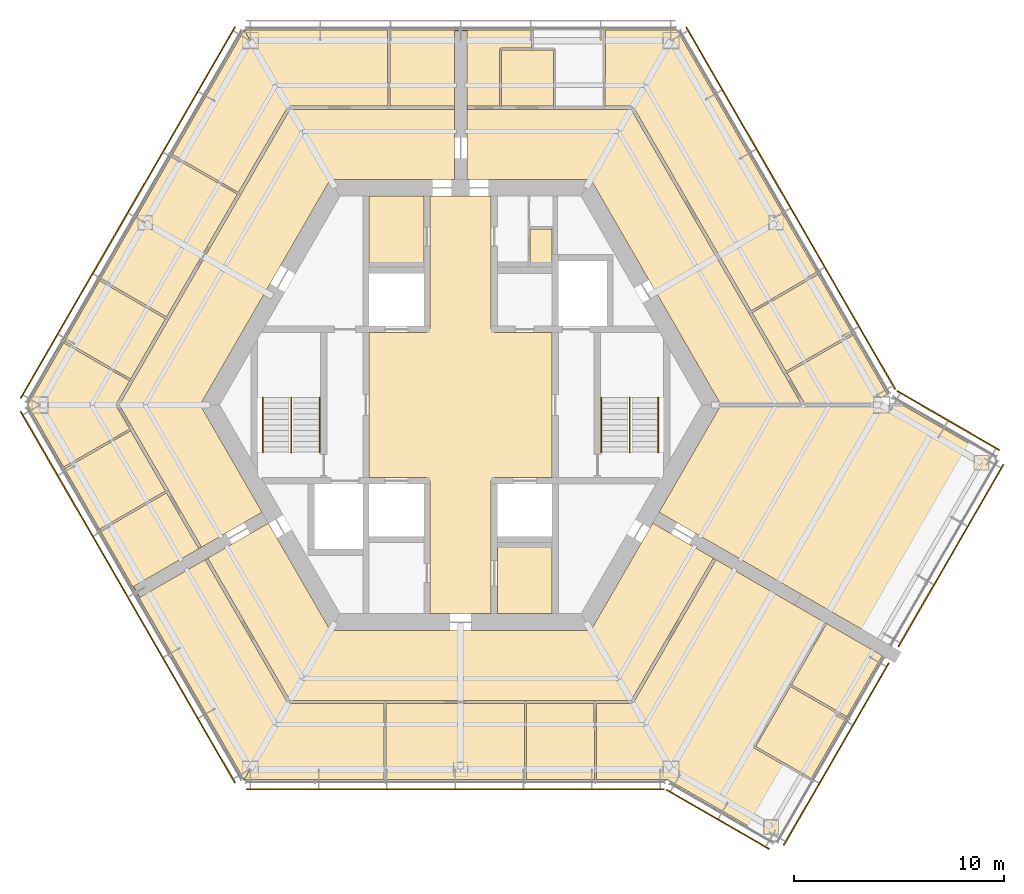
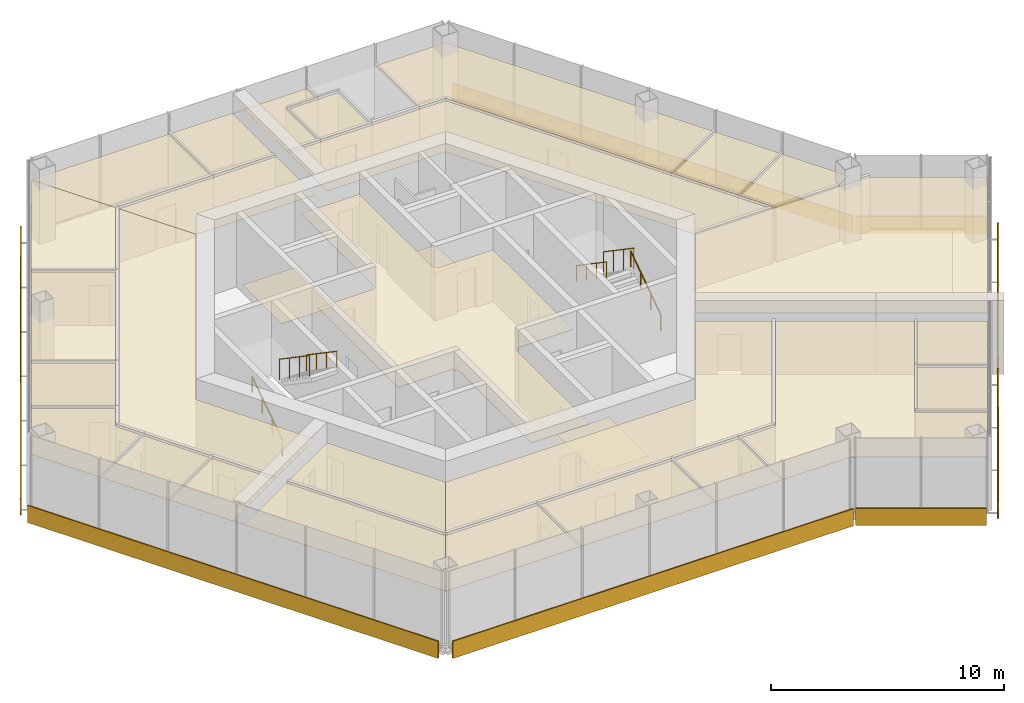
# One storey, part 12 of 13: 30 coverings, 8 shading devices, 6 railings.
"""IFC4 building model written with IfcOpenShell, lengths in metres."""

import ifcopenshell
import ifcopenshell.guid

model = None  # the IFC model being written
_history = None  # IfcOwnerHistory: only IFC2X3 demands one
_inside = {}  # id of a spatial element -> (the spatial element, [elements in it])
_under = {}  # id of a project, library or spatial element -> (it, [spatial elements below it])
_declared = {}  # id of a project -> (the project, [libraries it declares])
_typed = {}  # id of a type object -> (the type object, [elements of that type])
_made_of = {}  # id of a material, layer set ... -> (it, [elements and type objects made of it])


def new_model(schema):
    """Start an empty IFC model of exactly this schema.

    Asked for "IFC4X3", IfcOpenShell would pick the latest addendum, in which some entities
    have other attributes; the version numbers below select the first issue.
    IFC2X3 requires an IfcOwnerHistory on every rooted entity: one is made here for all.
    """
    global model, _history
    if schema == "IFC4X3":
        model = ifcopenshell.file(schema_version=(4, 3, 0, 0))
    else:
        model = ifcopenshell.file(schema=schema)
    _inside.clear()
    _under.clear()
    _declared.clear()
    _typed.clear()
    _made_of.clear()
    _history = None
    if model.schema == "IFC2X3":
        org = make("IfcOrganization", Name="unknown")
        user = make(
            "IfcPersonAndOrganization",
            ThePerson=make("IfcPerson", FamilyName="unknown"),
            TheOrganization=org,
        )
        app = make(
            "IfcApplication",
            ApplicationDeveloper=org,
            Version="unknown",
            ApplicationFullName="unknown",
            ApplicationIdentifier="unknown",
        )
        _history = make(
            "IfcOwnerHistory",
            OwningUser=user,
            OwningApplication=app,
            ChangeAction="ADDED",
            CreationDate=0,
        )
    return model


def make(cls, **values):
    """One entity of the class cls with the attributes given. An attribute that is None is left unset."""
    return model.create_entity(
        cls, **{name: value for name, value in values.items() if value is not None}
    )


def rooted(cls, **values):
    """An entity with a GlobalId (a new one), such as an element, a storey or a relation."""
    return make(cls, GlobalId=ifcopenshell.guid.new(), OwnerHistory=_history, **values)


def si_unit(unit_type, name, prefix=None):
    """IfcSIUnit, for example si_unit("LENGTHUNIT", "METRE", prefix="MILLI")."""
    return make("IfcSIUnit", UnitType=unit_type, Prefix=prefix, Name=name)


def assignment(units):
    """IfcUnitAssignment: the units of a project."""
    return None if units is None else make("IfcUnitAssignment", Units=units)


def point(xyz):
    """IfcCartesianPoint."""
    return None if xyz is None else make("IfcCartesianPoint", Coordinates=xyz)


def direction(xyz):
    """IfcDirection."""
    return None if xyz is None else make("IfcDirection", DirectionRatios=xyz)


def frame(location, z_axis=None, x_axis=None):
    """IfcAxis2Placement3D, a coordinate frame: its origin and axes. An axis left out is left unset."""
    return make(
        "IfcAxis2Placement3D",
        Location=point(location),
        Axis=direction(z_axis),
        RefDirection=direction(x_axis),
    )


def frame_2d(location, x_axis=None):
    """IfcAxis2Placement2D, a coordinate frame in the plane: its origin and x axis."""
    return make(
        "IfcAxis2Placement2D", Location=point(location), RefDirection=direction(x_axis)
    )


def origin():
    """The frame at (0, 0, 0) with its axes left unset."""
    return frame((0.0, 0.0, 0.0))


def origin_2d():
    """The frame at (0, 0) in the plane with its x axis left unset."""
    return frame_2d((0.0, 0.0))


def place(relative_to, where):
    """IfcLocalPlacement: puts the frame where relative to a parent placement (None: the world)."""
    return make(
        "IfcLocalPlacement", PlacementRelTo=relative_to, RelativePlacement=where
    )


def context(
    kind, dimensions, precision=None, world=None, true_north=None, identifier=None
):
    """IfcGeometricRepresentationContext, for example the 3D "Model" context."""
    return make(
        "IfcGeometricRepresentationContext",
        ContextIdentifier=identifier,
        ContextType=kind,
        CoordinateSpaceDimension=dimensions,
        Precision=precision,
        WorldCoordinateSystem=world,
        TrueNorth=true_north,
    )


def subcontext(parent, identifier, kind, view, scale=None):
    """IfcGeometricRepresentationSubContext, for example "Body" below "Model"."""
    return make(
        "IfcGeometricRepresentationSubContext",
        ContextIdentifier=identifier,
        ContextType=kind,
        ParentContext=parent,
        TargetScale=scale,
        TargetView=view,
    )


def project(units=None, contexts=None):
    """IfcProject with its units and contexts."""
    return rooted(
        "IfcProject",
        Name="project",
        RepresentationContexts=contexts,
        UnitsInContext=assignment(units),
    )


def spatial(cls, under=None, at=None, **own):
    """A site, building, storey or space (cls), placed at a placement, below another one or the project."""
    s = rooted(cls, ObjectPlacement=at, **own)
    if under is not None:
        _under.setdefault(under.id(), (under, []))[1].append(s)
    return s


def polyline(points):
    """IfcPolyline through the points."""
    return make("IfcPolyline", Points=[point(p) for p in points])


def profile(cls, at=None, kind="AREA", **sizes):
    """A parametric profile (cls). Its sizes go by their IFC names, for example OverallWidth=200.0."""
    return make(cls, ProfileType=kind, Position=at, **sizes)


def rectangle(**sizes):
    """IfcRectangleProfileDef."""
    return profile("IfcRectangleProfileDef", **sizes)


def circle(**sizes):
    """IfcCircleProfileDef."""
    return profile("IfcCircleProfileDef", **sizes)


def outline(outer, holes=None, kind="AREA"):
    """IfcArbitraryClosedProfileDef: a profile drawn as a closed curve; with holes, ...WithVoids."""
    if holes is None:
        return make("IfcArbitraryClosedProfileDef", ProfileType=kind, OuterCurve=outer)
    return make(
        "IfcArbitraryProfileDefWithVoids",
        ProfileType=kind,
        OuterCurve=outer,
        InnerCurves=holes,
    )


def extrude(swept, where, along, depth):
    """IfcExtrudedAreaSolid: the profile swept, set in the frame where, extruded along a direction by depth."""
    return make(
        "IfcExtrudedAreaSolid",
        SweptArea=swept,
        Position=where,
        ExtrudedDirection=direction(along),
        Depth=depth,
    )


def shape(context_of_items, identifier, shape_type, items):
    """IfcShapeRepresentation: the items that make up one representation, for example the "Body"."""
    return make(
        "IfcShapeRepresentation",
        ContextOfItems=context_of_items,
        RepresentationIdentifier=identifier,
        RepresentationType=shape_type,
        Items=items,
    )


def material(Name=None, Category=None):
    """IfcMaterial."""
    return make("IfcMaterial", Name=Name, Category=Category)


def layer(
    of_material, thickness, ventilated=None, Name=None, Category=None, Priority=None
):
    """IfcMaterialLayer: one layer of a wall or slab, of a material (None: an air gap)."""
    return make(
        "IfcMaterialLayer",
        Material=of_material,
        LayerThickness=thickness,
        IsVentilated=ventilated,
        Name=Name,
        Category=Category,
        Priority=Priority,
    )


def layer_set(layers, Name=None):
    """IfcMaterialLayerSet."""
    return make("IfcMaterialLayerSet", MaterialLayers=layers, LayerSetName=Name)


def made_of(thing, what):
    """Note that an element or type object is made of a material, layer set ...; save() writes the relation."""
    if what is not None:
        _made_of.setdefault(what.id(), (what, []))[1].append(thing)
    return thing


def type_object(cls, material=None, **own):
    """A type object (cls), such as IfcWallType, which elements share."""
    return made_of(rooted(cls, **own), material)


def element(
    cls,
    number,
    at=None,
    inside=None,
    cuts=None,
    type_object=None,
    material=None,
    context=None,
    identifier="Body",
    shape_type=None,
    held_by="IfcProductDefinitionShape",
    body=None,
    shapes=None,
    **own,
):
    """One element of the class cls, such as IfcWall. Its Tag is "e" and its number.

    at: its placement. inside: the storey or other place that contains it. cuts: it is an
    opening in that element (IfcRelVoidsElement). A single representation is given by context,
    identifier, shape_type and body (its items); several are given by shapes. held_by: the class
    of the entity that holds the representations. save() writes the other relations.
    """
    e = rooted(cls, Tag="e%d" % number, ObjectPlacement=at, **own)
    if body is not None:
        shapes = [shape(context, identifier, shape_type, body)]
    if shapes is not None:
        e.Representation = make(held_by, Representations=shapes)
    if inside is not None:
        _inside.setdefault(inside.id(), (inside, []))[1].append(e)
    if cuts is not None:
        rooted(
            "IfcRelVoidsElement", RelatingBuildingElement=cuts, RelatedOpeningElement=e
        )
    if type_object is not None:
        _typed.setdefault(type_object.id(), (type_object, []))[1].append(e)
    return made_of(e, material)


def aggregate(whole, parts):
    """IfcRelAggregates: a whole, such as a stair, and the parts it consists of."""
    return rooted("IfcRelAggregates", RelatingObject=whole, RelatedObjects=parts)


def save(model, path):
    """Write the relations noted so far, then the file.

    IfcRelAggregates (storeys below a building ...), IfcRelContainedInSpatialStructure (elements
    in a storey), IfcRelDefinesByType, IfcRelAssociatesMaterial and IfcRelDeclares: one each for
    every whole, place, type object, material and project.
    """
    for whole, parts in _under.values():
        aggregate(whole, parts)
    for where, things in _inside.values():
        rooted(
            "IfcRelContainedInSpatialStructure",
            RelatedElements=things,
            RelatingStructure=where,
        )
    for kind, things in _typed.values():
        rooted("IfcRelDefinesByType", RelatedObjects=things, RelatingType=kind)
    for what, things in _made_of.values():
        rooted("IfcRelAssociatesMaterial", RelatedObjects=things, RelatingMaterial=what)
    for by, libraries in _declared.values():
        rooted("IfcRelDeclares", RelatingContext=by, RelatedDefinitions=libraries)
    model.write(path)


model = new_model("IFC4")

# Units and contexts
model_context = context("Model", 3, precision=1e-05, world=origin(), true_north=direction((0.0, 1.0)))
body_context = subcontext(model_context, "Body", "Model", "MODEL_VIEW")
ifc_project = project(units=[si_unit("LENGTHUNIT", "METRE"), si_unit("AREAUNIT", "SQUARE_METRE"), si_unit("VOLUMEUNIT", "CUBIC_METRE"), si_unit("PLANEANGLEUNIT", "RADIAN"), si_unit("MASSUNIT", "GRAM", prefix="KILO")], contexts=[model_context])

# Site, building, storey
site_placement = place(None, origin())
site = spatial("IfcSite", under=ifc_project, at=site_placement, CompositionType="ELEMENT")
building_placement = place(site_placement, origin())
building = spatial("IfcBuilding", under=site, at=building_placement, Name="Kasaneha Research Tower", CompositionType="ELEMENT")
storey_placement = place(building_placement, frame((0.0, 0.0, 283.0)))
storey = spatial("IfcBuildingStorey", under=building, at=storey_placement, Name="L71", CompositionType="ELEMENT", Elevation=283.0)

# Covering
ifc_material_1 = material(Name="Aluminium panel ceiling", Category="aluminium")
ifc_layer_1 = layer(ifc_material_1, 0.0400390625)
ifc_layer_set_1 = layer_set([ifc_layer_1], Name="Lift lobby ceiling 40")
covering_type_1 = type_object("IfcCoveringType", Name="Lift lobby ceiling 40", PredefinedType="CEILING", material=ifc_layer_set_1)
covering_1_placement = place(storey_placement, frame((0.0, 0.0, 2.699951171875)))
element("IfcCovering", 1, at=covering_1_placement, inside=storey, type_object=covering_type_1, Name="Ceiling L71-01", PredefinedType="CEILING", context=body_context, shape_type="SweptSolid", body=[
    extrude(outline(polyline([(1.449951171875, 9.925048828125), (1.449951171875, 3.60009765625), (1.60009765625, 3.60009765625), (1.60009765625, 3.449951171875), (4.35009765625, 3.449951171875), (4.35009765625, -3.449951171875), (1.60009765625, -3.449951171875), (1.60009765625, -3.60009765625), (1.449951171875, -3.60009765625), (1.449951171875, -9.925048828125), (-1.449951171875, -9.925048828125), (-1.449951171875, -3.60009765625), (-1.60009765625, -3.60009765625), (-1.60009765625, -3.449951171875), (-4.35009765625, -3.449951171875), (-4.35009765625, 3.449951171875), (-1.60009765625, 3.449951171875), (-1.60009765625, 3.60009765625), (-1.449951171875, 3.60009765625), (-1.449951171875, 9.925048828125), (1.449951171875, 9.925048828125)])), origin(), (0.0, 0.0, 1.0), 0.0400390625),
])

# Railings
ifc_material_2 = material(Name="Steel", Category="steel")
railing_type_1 = type_object("IfcRailingType", Name="Stair balustrade 1100", PredefinedType="GUARDRAIL", material=ifc_material_2)
for number, where, name in (
    (2, (8.050048828125, 0.35009765625, 2.127197265625), "Stair 1 balustrade L71"),
    (3, (-8.050048828125, 0.35009765625, 2.127197265625), "Stair 2 balustrade L71"),
):
    element("IfcRailing", number, at=place(storey_placement, frame(where)), inside=storey, type_object=railing_type_1, Name=name, PredefinedType="GUARDRAIL", context=body_context, shape_type="SweptSolid", body=[
        extrude(circle(Radius=0.02392578125, at=origin_2d()), frame((0.0, 0.0, 1.076171875), z_axis=(0.0, -0.826240473404, 0.563317565952), x_axis=(1.0, 0.0, 0.0)), (0.0, 0.0, 1.0), 3.14697265625),
        extrude(circle(Radius=0.02099609375, at=origin_2d()), origin(), (0.0, 0.0, 1.0), 1.052001953125),
        extrude(circle(Radius=0.02099609375, at=origin_2d()), frame((0.0, -0.86669921875, 0.5908203125)), (0.0, 0.0, 1.0), 1.052001953125),
        extrude(circle(Radius=0.02099609375, at=origin_2d()), frame((0.0, -1.7333984375, 1.181884765625)), (0.0, 0.0, 1.0), 1.052001953125),
        extrude(circle(Radius=0.02099609375, at=origin_2d()), frame((0.0, -2.60009765625, 1.772705078125)), (0.0, 0.0, 1.0), 1.052001953125),
    ])
ifc_material_3 = material(Name="Steel", Category="steel")
railing_type_2 = type_object("IfcRailingType", Name="Stair handrail 850", PredefinedType="HANDRAIL", material=ifc_material_3)
railing_1_placement = place(storey_placement, frame((9.39990234375, -2.25, 0.17724609375)))
element("IfcRailing", 4, at=railing_1_placement, inside=storey, type_object=railing_type_2, Name="Stair 1 handrail L71", PredefinedType="HANDRAIL", context=body_context, shape_type="SweptSolid", body=[
    extrude(circle(Radius=0.02392578125, at=origin_2d()), frame((0.0, 0.0, 0.826171875), z_axis=(0.0, 0.826240473404, 0.563317565952), x_axis=(-1.0, 0.0, 0.0)), (0.0, 0.0, 1.0), 3.14697265625),
    extrude(circle(Radius=0.02099609375, at=origin_2d()), origin(), (0.0, 0.0, 1.0), 0.802001953125),
    extrude(circle(Radius=0.02099609375, at=origin_2d()), frame((0.0, 0.86669921875, 0.5908203125)), (0.0, 0.0, 1.0), 0.802001953125),
    extrude(circle(Radius=0.02099609375, at=origin_2d()), frame((0.0, 1.7333984375, 1.181884765625)), (0.0, 0.0, 1.0), 0.802001953125),
    extrude(circle(Radius=0.02099609375, at=origin_2d()), frame((0.0, 2.60009765625, 1.772705078125)), (0.0, 0.0, 1.0), 0.802001953125),
])
railing_2_placement = place(storey_placement, frame((6.699951171875, 0.35009765625, 2.127197265625)))
element("IfcRailing", 5, at=railing_2_placement, inside=storey, type_object=railing_type_2, Name="Stair 1 handrail L71", PredefinedType="HANDRAIL", context=body_context, shape_type="SweptSolid", body=[
    extrude(circle(Radius=0.02392578125, at=origin_2d()), frame((0.0, 0.0, 0.826171875), z_axis=(0.0, -0.826240473404, 0.563317565952), x_axis=(1.0, 0.0, 0.0)), (0.0, 0.0, 1.0), 3.14697265625),
    extrude(circle(Radius=0.02099609375, at=origin_2d()), origin(), (0.0, 0.0, 1.0), 0.802001953125),
    extrude(circle(Radius=0.02099609375, at=origin_2d()), frame((0.0, -0.86669921875, 0.5908203125)), (0.0, 0.0, 1.0), 0.802001953125),
    extrude(circle(Radius=0.02099609375, at=origin_2d()), frame((0.0, -1.7333984375, 1.181884765625)), (0.0, 0.0, 1.0), 0.802001953125),
    extrude(circle(Radius=0.02099609375, at=origin_2d()), frame((0.0, -2.60009765625, 1.772705078125)), (0.0, 0.0, 1.0), 0.802001953125),
])
railing_3_placement = place(storey_placement, frame((-9.39990234375, -2.25, 0.17724609375)))
element("IfcRailing", 6, at=railing_3_placement, inside=storey, type_object=railing_type_2, Name="Stair 2 handrail L71", PredefinedType="HANDRAIL", context=body_context, shape_type="SweptSolid", body=[
    extrude(circle(Radius=0.02392578125, at=origin_2d()), frame((0.0, 0.0, 0.826171875), z_axis=(0.0, 0.826240473404, 0.563317565952), x_axis=(-1.0, 0.0, 0.0)), (0.0, 0.0, 1.0), 3.14697265625),
    extrude(circle(Radius=0.02099609375, at=origin_2d()), origin(), (0.0, 0.0, 1.0), 0.802001953125),
    extrude(circle(Radius=0.02099609375, at=origin_2d()), frame((0.0, 0.86669921875, 0.5908203125)), (0.0, 0.0, 1.0), 0.802001953125),
    extrude(circle(Radius=0.02099609375, at=origin_2d()), frame((0.0, 1.7333984375, 1.181884765625)), (0.0, 0.0, 1.0), 0.802001953125),
    extrude(circle(Radius=0.02099609375, at=origin_2d()), frame((0.0, 2.60009765625, 1.772705078125)), (0.0, 0.0, 1.0), 0.802001953125),
])
railing_4_placement = place(storey_placement, frame((-6.699951171875, 0.35009765625, 2.127197265625)))
element("IfcRailing", 7, at=railing_4_placement, inside=storey, type_object=railing_type_2, Name="Stair 2 handrail L71", PredefinedType="HANDRAIL", context=body_context, shape_type="SweptSolid", body=[
    extrude(circle(Radius=0.02392578125, at=origin_2d()), frame((0.0, 0.0, 0.826171875), z_axis=(0.0, -0.826240473404, 0.563317565952), x_axis=(1.0, 0.0, 0.0)), (0.0, 0.0, 1.0), 3.14697265625),
    extrude(circle(Radius=0.02099609375, at=origin_2d()), origin(), (0.0, 0.0, 1.0), 0.802001953125),
    extrude(circle(Radius=0.02099609375, at=origin_2d()), frame((0.0, -0.86669921875, 0.5908203125)), (0.0, 0.0, 1.0), 0.802001953125),
    extrude(circle(Radius=0.02099609375, at=origin_2d()), frame((0.0, -1.7333984375, 1.181884765625)), (0.0, 0.0, 1.0), 0.802001953125),
    extrude(circle(Radius=0.02099609375, at=origin_2d()), frame((0.0, -2.60009765625, 1.772705078125)), (0.0, 0.0, 1.0), 0.802001953125),
])

# Coverings
ifc_material_4 = material(Name="Gypsum ceiling board", Category="gypsum")
ifc_layer_2 = layer(ifc_material_4, 0.02001953125)
ifc_layer_set_2 = layer_set([ifc_layer_2], Name="Suspended ceiling 20")
covering_type_2 = type_object("IfcCoveringType", Name="Suspended ceiling 20", PredefinedType="CEILING", material=ifc_layer_set_2)
covering_2_placement = place(storey_placement, frame((0.0, 0.0, 2.800048828125)))
element("IfcCovering", 8, at=covering_2_placement, inside=storey, type_object=covering_type_2, Name="Ceiling L71-24", PredefinedType="CEILING", context=body_context, shape_type="SweptSolid", body=[
    extrude(outline(polyline([(6.192138671875, 10.72509765625), (0.300048828125, 10.72509765625), (0.300048828125, 11.72509765625), (0.300048828125, 12.72509765625), (0.300048828125, 14.125), (0.320068359375, 14.125), (0.320068359375, 14.050048828125), (1.89501953125, 14.050048828125), (1.905029296875, 14.050048828125), (4.4599609375, 14.050048828125), (4.469970703125, 14.050048828125), (6.826416015625, 14.050048828125), (6.8359375, 14.050048828125), (8.11181640625, 14.050048828125), (13.70849609375, 4.356201171875), (13.70849609375, 4.356201171875), (15.374267578125, 1.470947265625), (15.374267578125, 1.470947265625), (16.2236328125, 0.0), (12.38427734375, 0.0), (6.192138671875, 10.72509765625)])), origin(), (0.0, 0.0, 1.0), 0.02001953125),
])
covering_3_placement = place(storey_placement, frame((0.0, 0.0, 2.800048828125)))
element("IfcCovering", 9, at=covering_3_placement, inside=storey, type_object=covering_type_2, Name="Ceiling L71-25", PredefinedType="CEILING", context=body_context, shape_type="SweptSolid", body=[
    extrude(outline(polyline([(4.41015625, 14.199951171875), (1.954833984375, 14.199951171875), (1.9501953125, 16.875), (3.410400390625, 16.875), (3.42041015625, 16.875), (4.414794921875, 16.875), (4.41015625, 14.199951171875)])), origin(), (0.0, 0.0, 1.0), 0.02001953125),
])
covering_4_placement = place(storey_placement, frame((0.0, 0.0, 2.800048828125)))
element("IfcCovering", 10, at=covering_4_placement, inside=storey, type_object=covering_type_2, Name="Ceiling L71-26", PredefinedType="CEILING", context=body_context, shape_type="SweptSolid", body=[
    extrude(outline(polyline([(18.619873046875, 3.3505859375), (18.594970703125, 3.393798828125), (15.474365234375, 1.597900390625), (13.863525390625, 4.387939453125), (16.988037109375, 6.197021484375), (16.963134765625, 6.240234375), (16.9716796875, 6.2451171875), (18.63720703125, 3.360595703125), (18.619873046875, 3.3505859375)])), origin(), (0.0, 0.0, 1.0), 0.02001953125),
])
covering_5_placement = place(storey_placement, frame((0.0, 0.0, 2.800048828125)))
element("IfcCovering", 11, at=covering_5_placement, inside=storey, type_object=covering_type_2, Name="Ceiling L71-28", PredefinedType="CEILING", context=body_context, shape_type="SweptSolid", body=[
    extrude(outline(polyline([(3.41552734375, 17.820556640625), (3.41552734375, 17.800537109375), (3.365478515625, 17.80029296875), (3.3701171875, 16.97509765625), (1.89990234375, 16.97509765625), (1.89990234375, 16.925048828125), (1.85009765625, 16.9248046875), (1.85498046875, 14.199951171875), (0.320068359375, 14.199951171875), (0.320068359375, 14.125), (0.300048828125, 14.125), (0.300048828125, 17.7705078125), (0.300048828125, 17.7705078125), (0.0, 17.7705078125), (0.0, 17.820556640625), (3.41552734375, 17.820556640625)])), origin(), (0.0, 0.0, 1.0), 0.02001953125),
])
covering_6_placement = place(storey_placement, frame((0.0, 0.0, 2.800048828125)))
element("IfcCovering", 12, at=covering_6_placement, inside=storey, type_object=covering_type_2, Name="Ceiling L71-29", PredefinedType="CEILING", context=body_context, shape_type="SweptSolid", body=[
    extrude(outline(polyline([(20.28759765625, 0.501708984375), (19.41845703125, 0.0), (16.31005859375, 0.0), (16.298583984375, 0.02001953125), (16.363525390625, 0.0576171875), (15.5244140625, 1.51123046875), (18.644775390625, 3.30712890625), (18.619873046875, 3.3505859375), (18.63720703125, 3.360595703125), (20.28759765625, 0.501708984375)])), origin(), (0.0, 0.0, 1.0), 0.02001953125),
])
covering_7_placement = place(storey_placement, frame((0.0, 0.0, 2.800048828125)))
element("IfcCovering", 13, at=covering_7_placement, inside=storey, type_object=covering_type_2, Name="Ceiling L71-30", PredefinedType="CEILING", context=body_context, shape_type="SweptSolid", body=[
    extrude(outline(polyline([(16.962890625, 6.24072265625), (16.93798828125, 6.283447265625), (13.8134765625, 4.474365234375), (8.219970703125, 14.16259765625), (8.155517578125, 14.125244140625), (8.155517578125, 14.125244140625), (8.155029296875, 14.125244140625), (8.155029296875, 14.199951171875), (6.876708984375, 14.199951171875), (6.880859375, 17.800537109375), (6.83154296875, 17.800537109375), (6.83154296875, 17.820556640625), (10.28857421875, 17.820556640625), (16.971435546875, 6.24560546875), (16.962890625, 6.24072265625)])), origin(), (0.0, 0.0, 1.0), 0.02001953125),
])
covering_8_placement = place(storey_placement, frame((0.0, 0.0, 2.800048828125)))
element("IfcCovering", 14, at=covering_8_placement, inside=storey, type_object=covering_type_2, Name="Ceiling L71-31", PredefinedType="CEILING", context=body_context, shape_type="SweptSolid", body=[
    extrude(outline(polyline([(-0.300048828125, 11.72509765625), (-0.300048828125, 10.72509765625), (-6.192138671875, 10.72509765625), (-8.11181640625, 14.050048828125), (-8.11181640625, 14.050048828125), (-3.42041015625, 14.050048828125), (-3.410888671875, 14.050048828125), (-0.320068359375, 14.050048828125), (-0.320068359375, 14.125), (-0.300048828125, 14.125), (-0.300048828125, 12.72509765625), (-0.300048828125, 11.72509765625)])), origin(), (0.0, 0.0, 1.0), 0.02001953125),
])
covering_9_placement = place(storey_placement, frame((0.0, 0.0, 2.800048828125)))
element("IfcCovering", 15, at=covering_9_placement, inside=storey, type_object=covering_type_2, Name="Ceiling L71-32", PredefinedType="CEILING", context=body_context, shape_type="SweptSolid", body=[
    extrude(outline(polyline([(0.0, 17.7705078125), (-0.300048828125, 17.7705078125), (-0.300048828125, 17.7705078125), (-0.300048828125, 14.125), (-0.320068359375, 14.125), (-0.320068359375, 14.199951171875), (-3.361083984375, 14.199951171875), (-3.365478515625, 17.800537109375), (-3.41552734375, 17.800537109375), (-3.41552734375, 17.820556640625), (0.0, 17.820556640625), (0.0, 17.7705078125)])), origin(), (0.0, 0.0, 1.0), 0.02001953125),
])
covering_10_placement = place(storey_placement, frame((0.0, 0.0, 2.800048828125)))
element("IfcCovering", 16, at=covering_10_placement, inside=storey, type_object=covering_type_2, Name="Ceiling L71-33", PredefinedType="CEILING", context=body_context, shape_type="SweptSolid", body=[
    extrude(outline(polyline([(-3.416015625, 17.800537109375), (-3.465576171875, 17.800537109375), (-3.461181640625, 14.199951171875), (-8.132080078125, 14.199951171875), (-8.132080078125, 14.12548828125), (-8.1552734375, 14.12548828125), (-10.28857421875, 17.820556640625), (-3.416015625, 17.820556640625), (-3.416015625, 17.800537109375)])), origin(), (0.0, 0.0, 1.0), 0.02001953125),
])
covering_11_placement = place(storey_placement, frame((0.0, 0.0, 2.800048828125)))
element("IfcCovering", 17, at=covering_11_placement, inside=storey, type_object=covering_type_2, Name="Ceiling L71-34", PredefinedType="CEILING", context=body_context, shape_type="SweptSolid", body=[
    extrude(outline(polyline([(-12.38427734375, 0.0), (-9.438232421875, -5.102783203125), (-10.30419921875, -5.602783203125), (-10.30419921875, -5.602783203125), (-11.170166015625, -6.102783203125), (-11.170166015625, -6.102783203125), (-12.382568359375, -6.802734375), (-12.392578125, -6.785400390625), (-12.32763671875, -6.747802734375), (-13.872802734375, -4.0712890625), (-13.872802734375, -4.0712890625), (-15.580810546875, -1.113037109375), (-15.580810546875, -1.113037109375), (-16.223388671875, 0.0), (-15.580810546875, 1.113037109375), (-15.580810546875, 1.113037109375), (-13.872802734375, 4.0712890625), (-13.872802734375, 4.071533203125), (-10.457763671875, 9.98681640625), (-10.457763671875, 9.98681640625), (-8.11181640625, 14.050048828125), (-6.192138671875, 10.72509765625), (-12.38427734375, 0.0)])), origin(), (0.0, 0.0, 1.0), 0.02001953125),
])
covering_12_placement = place(storey_placement, frame((0.0, 0.0, 2.800048828125)))
element("IfcCovering", 18, at=covering_12_placement, inside=storey, type_object=covering_type_2, Name="Ceiling L71-35", PredefinedType="CEILING", context=body_context, shape_type="SweptSolid", body=[
    extrude(outline(polyline([(-8.15478515625, 14.12548828125), (-8.166748046875, 14.10498046875), (-8.2314453125, 14.142578125), (-10.562744140625, 10.10498046875), (-13.691650390625, 11.906494140625), (-13.716552734375, 11.86328125), (-13.725341796875, 11.8681640625), (-10.28857421875, 17.821044921875), (-8.15478515625, 14.12548828125)])), origin(), (0.0, 0.0, 1.0), 0.02001953125),
])
covering_13_placement = place(storey_placement, frame((0.0, 0.0, 2.800048828125)))
element("IfcCovering", 19, at=covering_13_placement, inside=storey, type_object=covering_type_2, Name="Ceiling L71-36", PredefinedType="CEILING", context=body_context, shape_type="SweptSolid", body=[
    extrude(outline(polyline([(-18.83984375, -2.989501953125), (-18.81494140625, -3.03271484375), (-15.685791015625, -1.2314453125), (-14.03271484375, -4.094482421875), (-17.1484375, -5.899169921875), (-17.12353515625, -5.9423828125), (-17.140869140625, -5.952392578125), (-18.848388671875, -2.994384765625), (-18.83984375, -2.989501953125)])), origin(), (0.0, 0.0, 1.0), 0.02001953125),
])
covering_14_placement = place(storey_placement, frame((0.0, 0.0, 2.800048828125)))
element("IfcCovering", 20, at=covering_14_placement, inside=storey, type_object=covering_type_2, Name="Ceiling L71-37", PredefinedType="CEILING", context=body_context, shape_type="SweptSolid", body=[
    extrude(outline(polyline([(-15.539794921875, -8.62548828125), (-15.539794921875, -8.62548828125), (-15.3896484375, -8.88525390625), (-15.43310546875, -8.91015625), (-17.140869140625, -5.952392578125), (-17.12353515625, -5.9423828125), (-17.098388671875, -5.985595703125), (-13.982666015625, -4.18115234375), (-12.45751953125, -6.822998046875), (-12.392578125, -6.785400390625), (-12.382568359375, -6.802734375), (-12.122802734375, -6.652587890625), (-15.539794921875, -8.62548828125), (-15.539794921875, -8.62548828125)])), origin(), (0.0, 0.0, 1.0), 0.02001953125),
])
covering_15_placement = place(storey_placement, frame((0.0, 0.0, 2.800048828125)))
element("IfcCovering", 21, at=covering_15_placement, inside=storey, type_object=covering_type_2, Name="Ceiling L71-38", PredefinedType="CEILING", context=body_context, shape_type="SweptSolid", body=[
    extrude(outline(polyline([(-17.12353515625, 5.9423828125), (-17.1484375, 5.899169921875), (-14.032470703125, 4.094970703125), (-15.685791015625, 1.2314453125), (-18.81494140625, 3.03271484375), (-18.83984375, 2.989501953125), (-18.848388671875, 2.994384765625), (-17.140869140625, 5.952392578125), (-17.12353515625, 5.9423828125)])), origin(), (0.0, 0.0, 1.0), 0.02001953125),
])
covering_16_placement = place(storey_placement, frame((0.0, 0.0, 2.800048828125)))
element("IfcCovering", 22, at=covering_16_placement, inside=storey, type_object=covering_type_2, Name="Ceiling L71-39", PredefinedType="CEILING", context=body_context, shape_type="SweptSolid", body=[
    extrude(outline(polyline([(-17.140380859375, 5.952880859375), (-13.7255859375, 11.86767578125), (-13.716796875, 11.86279296875), (-13.74169921875, 11.81982421875), (-10.612548828125, 10.018310546875), (-13.982421875, 4.181640625), (-17.098388671875, 5.985595703125), (-17.123291015625, 5.94287109375), (-17.140380859375, 5.952880859375)])), origin(), (0.0, 0.0, 1.0), 0.02001953125),
])
covering_17_placement = place(storey_placement, frame((0.0, 0.0, 2.800048828125)))
element("IfcCovering", 23, at=covering_17_placement, inside=storey, type_object=covering_type_2, Name="Ceiling L71-40", PredefinedType="CEILING", context=body_context, shape_type="SweptSolid", body=[
    extrude(outline(polyline([(-18.840087890625, 2.989013671875), (-18.86474609375, 2.9462890625), (-15.73583984375, 1.144775390625), (-16.375, 0.03759765625), (-16.310546875, 0.000244140625), (-16.310546875, 0.0), (-16.310546875, -0.000244140625), (-16.375, -0.03759765625), (-15.73583984375, -1.144775390625), (-18.86474609375, -2.9462890625), (-18.840087890625, -2.989013671875), (-18.8486328125, -2.994140625), (-20.577392578125, 0.0), (-18.8486328125, 2.994140625), (-18.840087890625, 2.989013671875)])), origin(), (0.0, 0.0, 1.0), 0.02001953125),
])
covering_18_placement = place(storey_placement, frame((0.0, 0.0, 2.800048828125)))
element("IfcCovering", 24, at=covering_18_placement, inside=storey, type_object=covering_type_2, Name="Ceiling L71-41", PredefinedType="CEILING", context=body_context, shape_type="SweptSolid", body=[
    extrude(outline(polyline([(-10.8701171875, -6.622314453125), (-10.004150390625, -6.122314453125), (-10.004150390625, -6.122314453125), (-9.13818359375, -5.622314453125), (-6.192138671875, -10.72509765625), (-8.11181640625, -14.050048828125), (-12.007568359375, -7.302001953125), (-12.072509765625, -7.339599609375), (-12.08251953125, -7.322265625), (-10.8701171875, -6.622314453125), (-10.8701171875, -6.622314453125)])), origin(), (0.0, 0.0, 1.0), 0.02001953125),
])
covering_19_placement = place(storey_placement, frame((0.0, 0.0, 2.800048828125)))
element("IfcCovering", 25, at=covering_19_placement, inside=storey, type_object=covering_type_2, Name="Ceiling L71-42", PredefinedType="CEILING", context=body_context, shape_type="SweptSolid", body=[
    extrude(outline(polyline([(-12.072998046875, -7.33984375), (-12.137451171875, -7.377197265625), (-8.2314453125, -14.142578125), (-8.1669921875, -14.105224609375), (-8.1552734375, -14.12548828125), (-10.28857421875, -17.820556640625), (-15.43310546875, -8.91015625), (-15.3896484375, -8.88525390625), (-15.23974609375, -9.14501953125), (-15.23974609375, -9.14501953125), (-15.23974609375, -9.14501953125), (-12.0830078125, -7.322509765625), (-12.072998046875, -7.33984375)])), origin(), (0.0, 0.0, 1.0), 0.02001953125),
])
covering_20_placement = place(storey_placement, frame((0.0, 0.0, 2.800048828125)))
element("IfcCovering", 26, at=covering_20_placement, inside=storey, type_object=covering_type_2, Name="Ceiling L71-43", PredefinedType="CEILING", context=body_context, shape_type="SweptSolid", body=[
    extrude(outline(polyline([(11.170166015625, -6.102783203125), (10.30419921875, -5.602783203125), (10.227783203125, -5.55859375), (9.438232421875, -5.102783203125), (12.38427734375, 0.0), (16.2236328125, 0.0), (16.233642578125, -0.017578125), (16.263916015625, 0.0), (21.0, 0.0), (25.446044921875, -2.56689453125), (20.34619140625, -11.400390625), (12.1259765625, -6.654541015625), (11.170166015625, -6.102783203125)])), origin(), (0.0, 0.0, 1.0), 0.02001953125),
])
covering_21_placement = place(storey_placement, frame((0.0, 0.0, 2.800048828125)))
element("IfcCovering", 27, at=covering_21_placement, inside=storey, type_object=covering_type_2, Name="Ceiling L71-44", PredefinedType="CEILING", context=body_context, shape_type="SweptSolid", body=[
    extrude(outline(polyline([(-6.192138671875, -10.72509765625), (6.192138671875, -10.72509765625), (9.13818359375, -5.622314453125), (10.004150390625, -6.122314453125), (10.004150390625, -6.122314453125), (10.8701171875, -6.622314453125), (10.8701171875, -6.622314453125), (12.08251953125, -7.322265625), (12.072509765625, -7.339599609375), (12.007568359375, -7.302001953125), (8.11181640625, -14.050048828125), (6.413330078125, -14.050048828125), (6.40380859375, -14.050048828125), (3.081787109375, -14.050048828125), (3.072509765625, -14.050048828125), (-3.57958984375, -14.050048828125), (-3.589111328125, -14.050048828125), (-8.11181640625, -14.050048828125), (-8.11181640625, -14.050048828125), (-6.192138671875, -10.72509765625)])), origin(), (0.0, 0.0, 1.0), 0.02001953125),
])
covering_22_placement = place(storey_placement, frame((0.0, 0.0, 2.800048828125)))
element("IfcCovering", 28, at=covering_22_placement, inside=storey, type_object=covering_type_2, Name="Ceiling L71-45", PredefinedType="CEILING", context=body_context, shape_type="SweptSolid", body=[
    extrude(outline(polyline([(3.077392578125, -17.800537109375), (3.12744140625, -17.800537109375), (3.131591796875, -14.199951171875), (6.35400390625, -14.199951171875), (6.3583984375, -17.800537109375), (6.408203125, -17.800537109375), (6.408203125, -17.820556640625), (3.077392578125, -17.820556640625), (3.077392578125, -17.800537109375)])), origin(), (0.0, 0.0, 1.0), 0.02001953125),
])
covering_23_placement = place(storey_placement, frame((0.0, 0.0, 2.800048828125)))
element("IfcCovering", 29, at=covering_23_placement, inside=storey, type_object=covering_type_2, Name="Ceiling L71-46", PredefinedType="CEILING", context=body_context, shape_type="SweptSolid", body=[
    extrude(outline(polyline([(-8.15576171875, -14.125), (-8.132080078125, -14.125), (-8.132080078125, -14.199951171875), (-3.638916015625, -14.199951171875), (-3.634521484375, -17.800537109375), (-3.58447265625, -17.800537109375), (-3.58447265625, -17.820556640625), (-10.2890625, -17.820556640625), (-8.15576171875, -14.125)])), origin(), (0.0, 0.0, 1.0), 0.02001953125),
])
covering_24_placement = place(storey_placement, frame((0.0, 0.0, 2.800048828125)))
element("IfcCovering", 30, at=covering_24_placement, inside=storey, type_object=covering_type_2, Name="Ceiling L71-47", PredefinedType="CEILING", context=body_context, shape_type="SweptSolid", body=[
    extrude(outline(polyline([(16.646240234375, -17.80908203125), (16.62890625, -17.799072265625), (16.65380859375, -17.755615234375), (14.02978515625, -16.24072265625), (15.68115234375, -13.389404296875), (18.303955078125, -14.89794921875), (18.328857421875, -14.8544921875), (18.34619140625, -14.864501953125), (16.646240234375, -17.80908203125)])), origin(), (0.0, 0.0, 1.0), 0.02001953125),
])
covering_25_placement = place(storey_placement, frame((0.0, 0.0, 2.800048828125)))
element("IfcCovering", 31, at=covering_25_placement, inside=storey, type_object=covering_type_2, Name="Ceiling L71-48", PredefinedType="CEILING", context=body_context, shape_type="SweptSolid", body=[
    extrude(outline(polyline([(18.34619140625, -14.864501953125), (18.328857421875, -14.8544921875), (18.353759765625, -14.811279296875), (15.731201171875, -13.302734375), (17.394775390625, -10.412353515625), (17.3515625, -10.387451171875), (17.361572265625, -10.3701171875), (20.046142578125, -11.920166015625), (18.34619140625, -14.864501953125)])), origin(), (0.0, 0.0, 1.0), 0.02001953125),
])
covering_26_placement = place(storey_placement, frame((0.0, 0.0, 2.800048828125)))
element("IfcCovering", 32, at=covering_26_placement, inside=storey, type_object=covering_type_2, Name="Ceiling L71-49", PredefinedType="CEILING", context=body_context, shape_type="SweptSolid", body=[
    extrude(outline(polyline([(13.96142578125, -16.25927734375), (13.9365234375, -16.30224609375), (16.603759765625, -17.84228515625), (16.62841796875, -17.799560546875), (16.64599609375, -17.8095703125), (14.946044921875, -20.75341796875), (9.865966796875, -17.820556640625), (6.40869140625, -17.820556640625), (6.40869140625, -17.800537109375), (6.458251953125, -17.800537109375), (6.453857421875, -14.199951171875), (8.155029296875, -14.199951171875), (8.155029296875, -14.125244140625), (8.155517578125, -14.125244140625), (8.155517578125, -14.125244140625), (8.219970703125, -14.16259765625), (12.137451171875, -7.377197265625), (12.072998046875, -7.33984375), (12.0830078125, -7.322509765625), (17.361083984375, -10.369873046875), (17.35107421875, -10.38720703125), (17.30810546875, -10.362548828125), (15.6220703125, -13.291748046875), (13.918212890625, -16.23388671875), (13.961181640625, -16.2587890625), (13.9609375, -16.259033203125), (13.96142578125, -16.25927734375)])), origin(), (0.0, 0.0, 1.0), 0.02001953125),
])
covering_27_placement = place(storey_placement, frame((0.0, 0.0, 2.800048828125)))
element("IfcCovering", 33, at=covering_27_placement, inside=storey, type_object=covering_type_2, Name="Ceiling L71-50", PredefinedType="CEILING", context=body_context, shape_type="SweptSolid", body=[
    extrude(outline(polyline([(3.076904296875, -17.820556640625), (-3.583984375, -17.820556640625), (-3.583984375, -17.800537109375), (-3.534423828125, -17.800537109375), (-3.538818359375, -14.199951171875), (3.03173828125, -14.199951171875), (3.02734375, -17.800537109375), (3.076904296875, -17.800537109375), (3.076904296875, -17.820556640625)])), origin(), (0.0, 0.0, 1.0), 0.02001953125),
])

# Shading devices
ifc_material_5 = material(Name="Terracotta", Category="masonry")
ifc_layer_3 = layer(ifc_material_5, 0.06005859375)
ifc_layer_set_3 = layer_set([ifc_layer_3], Name="Terracotta baguette screen")
shading_device_type = type_object("IfcShadingDeviceType", Name="Terracotta baguette screen", PredefinedType="USERDEFINED", material=ifc_layer_set_3)
shading_device_1_placement = place(storey_placement, frame((15.696044921875, 9.35498046875, -0.449951171875), z_axis=(0.0, 0.0, 1.0), x_axis=(-0.499999979232, 0.866025415775, 0.0)))
element("IfcShadingDevice", 34, at=shading_device_1_placement, inside=storey, type_object=shading_device_type, Name="Baguette screen L71 01", ObjectType="TERRACOTTA BAGUETTE SCREEN", PredefinedType="USERDEFINED", context=body_context, shape_type="SweptSolid", body=[
    extrude(rectangle(XDim=19.8857421875, YDim=0.06005859375, at=origin_2d()), origin(), (0.0, 0.0, 1.0), 0.89990234375),
])
for number, where, z_axis, x_axis, name in (
    (35, (-15.82275390625, 9.13525390625, -0.449951171875), (0.0, 0.0, 1.0), (-0.499999995722, -0.866025406254, 0.0), "Baguette screen L71 03"),
    (36, (-15.82275390625, -9.13525390625, -0.449951171875), (0.0, 0.0, 1.0), (0.499999995722, -0.866025406254, 0.0), "Baguette screen L71 04"),
):
    element("IfcShadingDevice", number, at=place(storey_placement, frame(where, z_axis=z_axis, x_axis=x_axis)), inside=storey, type_object=shading_device_type, Name=name, ObjectType="TERRACOTTA BAGUETTE SCREEN", PredefinedType="USERDEFINED", context=body_context, shape_type="SweptSolid", body=[
        extrude(rectangle(XDim=20.392822265625, YDim=0.06005859375, at=origin_2d()), origin(), (0.0, 0.0, 1.0), 0.89990234375),
    ])
shading_device_2_placement = place(storey_placement, frame((-0.253662109375, -18.2705078125, -0.449951171875), z_axis=(0.0, 0.0, 1.0), x_axis=(1.0, 0.0, 0.0)))
element("IfcShadingDevice", 37, at=shading_device_2_placement, inside=storey, type_object=shading_device_type, Name="Baguette screen L71 05", ObjectType="TERRACOTTA BAGUETTE SCREEN", PredefinedType="USERDEFINED", context=body_context, shape_type="SweptSolid", body=[
    extrude(rectangle(XDim=19.8857421875, YDim=0.06005859375, at=origin_2d()), origin(), (0.0, 0.0, 1.0), 0.89990234375),
])
shading_device_3_placement = place(storey_placement, frame((12.236083984375, -19.70849609375, -0.449951171875), z_axis=(0.0, 0.0, 1.0), x_axis=(0.866025443395, -0.499999931393, 0.0)))
element("IfcShadingDevice", 38, at=shading_device_3_placement, inside=storey, type_object=shading_device_type, Name="Baguette screen L71 06", ObjectType="TERRACOTTA BAGUETTE SCREEN", PredefinedType="USERDEFINED", context=body_context, shape_type="SweptSolid", body=[
    extrude(rectangle(XDim=5.63916015625, YDim=0.06005859375, at=origin_2d()), origin(), (0.0, 0.0, 1.0), 0.89990234375),
])
for number, where, z_axis, x_axis, name in (
    (39, (17.86083984375, -16.60498046875, -0.449951171875), (0.0, 0.0, 1.0), (0.500000011442, 0.866025397178, 0.0), "Baguette screen L71 07"),
    (40, (23.310791015625, -7.16552734375, -0.449951171875), (0.0, 0.0, 1.0), (0.500000011442, 0.866025397178, 0.0), "Baguette screen L71 08"),
):
    element("IfcShadingDevice", number, at=place(storey_placement, frame(where, z_axis=z_axis, x_axis=x_axis)), inside=storey, type_object=shading_device_type, Name=name, ObjectType="TERRACOTTA BAGUETTE SCREEN", PredefinedType="USERDEFINED", context=body_context, shape_type="SweptSolid", body=[
        extrude(rectangle(XDim=10.0, YDim=0.06005859375, at=origin_2d()), origin(), (0.0, 0.0, 1.0), 0.89990234375),
    ])
shading_device_4_placement = place(storey_placement, frame((23.18603515625, -0.742431640625, -0.449951171875), z_axis=(0.0, 0.0, 1.0), x_axis=(-0.866025443395, 0.499999931393, 0.0)))
element("IfcShadingDevice", 41, at=shading_device_4_placement, inside=storey, type_object=shading_device_type, Name="Baguette screen L71 09", ObjectType="TERRACOTTA BAGUETTE SCREEN", PredefinedType="USERDEFINED", context=body_context, shape_type="SweptSolid", body=[
    extrude(rectangle(XDim=5.63916015625, YDim=0.06005859375, at=origin_2d()), origin(), (0.0, 0.0, 1.0), 0.89990234375),
])

# Coverings
ifc_material_6 = material(Name="Vinyl sheet flooring", Category="plastic")
ifc_layer_4 = layer(ifc_material_6, 0.0048828125)
ifc_layer_set_4 = layer_set([ifc_layer_4], Name="Wet room sheet flooring 5")
covering_type_3 = type_object("IfcCoveringType", Name="Wet room sheet flooring 5", PredefinedType="FLOORING", material=ifc_layer_set_4)
covering_28_placement = place(storey_placement, origin())
element("IfcCovering", 42, at=covering_28_placement, inside=storey, type_object=covering_type_3, Name="Floor finish L71-06", PredefinedType="FLOORING", context=body_context, shape_type="SweptSolid", body=[
    extrude(outline(polyline([(-1.75, 9.925048828125), (-1.75, 6.550048828125), (-4.35009765625, 6.550048828125), (-4.35009765625, 9.925048828125), (-1.75, 9.925048828125)])), origin(), (0.0, 0.0, 1.0), 0.0048828125),
])
covering_29_placement = place(storey_placement, origin())
element("IfcCovering", 43, at=covering_29_placement, inside=storey, type_object=covering_type_3, Name="Floor finish L71-08", PredefinedType="FLOORING", context=body_context, shape_type="SweptSolid", body=[
    extrude(outline(polyline([(3.300048828125, 6.550048828125), (3.300048828125, 8.375), (4.35009765625, 8.375), (4.35009765625, 7.0), (4.35009765625, 6.550048828125), (3.300048828125, 6.550048828125)])), origin(), (0.0, 0.0, 1.0), 0.0048828125),
])
covering_30_placement = place(storey_placement, origin())
element("IfcCovering", 44, at=covering_30_placement, inside=storey, type_object=covering_type_3, Name="Floor finish L71-11", PredefinedType="FLOORING", context=body_context, shape_type="SweptSolid", body=[
    extrude(outline(polyline([(1.75, -9.925048828125), (1.75, -6.550048828125), (4.35009765625, -6.550048828125), (4.35009765625, -9.925048828125), (1.75, -9.925048828125)])), origin(), (0.0, 0.0, 1.0), 0.0048828125),
])

save(model, "model.ifc")
